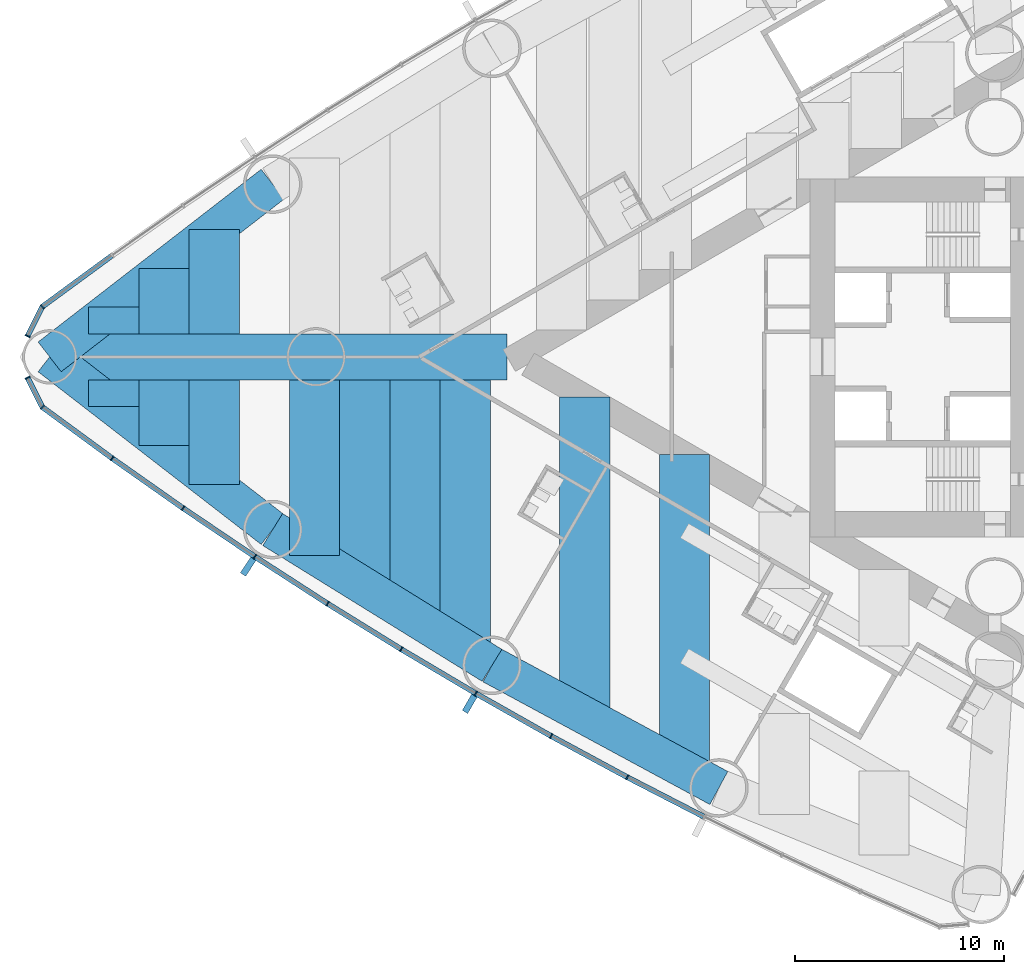
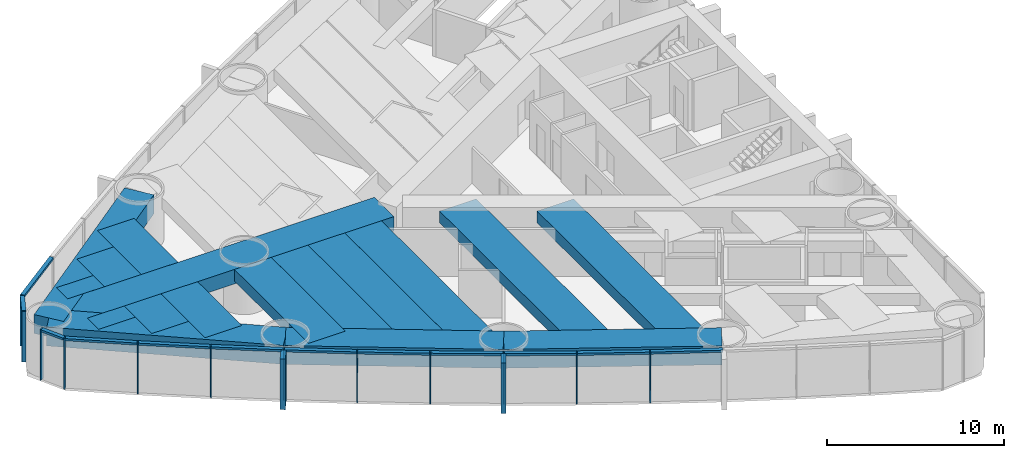
# One storey, part 2 of 19: 26 members, 17 beams, 2 elements without a shape of their own.
"""IFC4 building model written with IfcOpenShell, lengths in metres."""

from ifc_helpers import new_model, si_unit, direction, frame, origin, origin_2d, place, context, subcontext, project, spatial, rectangle, extrude, material, material_profile, profile_set, type_object, element, aggregate, save


model = new_model("IFC4")

# Units and contexts
model_context = context("Model", 3, precision=1e-05, world=origin(), true_north=direction((0.0, 1.0)))
body_context = subcontext(model_context, "Body", "Model", "MODEL_VIEW")
ifc_project = project(units=[si_unit("LENGTHUNIT", "METRE"), si_unit("AREAUNIT", "SQUARE_METRE"), si_unit("VOLUMEUNIT", "CUBIC_METRE"), si_unit("PLANEANGLEUNIT", "RADIAN"), si_unit("MASSUNIT", "GRAM", prefix="KILO")], contexts=[model_context])

# Site, building, storey
site_placement = place(None, origin())
site = spatial("IfcSite", under=ifc_project, at=site_placement, CompositionType="ELEMENT")
building_placement = place(site_placement, origin())
building = spatial("IfcBuilding", under=site, at=building_placement, Name="Lancet Gate Hotel", CompositionType="ELEMENT")
storey_placement = place(building_placement, frame((0.0, 0.0, 60.0)))
storey = spatial("IfcBuildingStorey", under=building, at=storey_placement, Name="L15", CompositionType="ELEMENT", Elevation=60.0)

# Curtain wall, members
ifc_material_1 = material(Name="Aluminium curtain wall", Category="aluminium")
curtain_wall_type = type_object("IfcCurtainWallType", Name="Tower unitised curtain wall", PredefinedType="USERDEFINED", material=ifc_material_1)
curtain_wall_1_placement = place(storey_placement, origin())
curtain_wall_1 = element("IfcCurtainWall", 1, at=curtain_wall_1_placement, inside=storey, type_object=curtain_wall_type, Name="T1 L15 curtain wall 2", ObjectType="UNITISED CURTAIN WALL", PredefinedType="USERDEFINED")
ifc_material_2 = material(Name="Aluminium mullion", Category="aluminium")
ifc_material_profile_1 = material_profile(ifc_material_2, rectangle(XDim=0.06494140625, YDim=0.25, at=origin_2d()), Name="MULLION 65x250")
ifc_profile_set_1 = profile_set([ifc_material_profile_1], Name="Aluminium mullion")
member_type_1 = type_object("IfcMemberType", Name="Aluminium mullion 65x250", PredefinedType="MULLION", material=ifc_profile_set_1)
member_1_placement = place(storey_placement, frame((-74.5830078125, 2.401611328125, 0.0), z_axis=(0.0, 0.0, 1.0), x_axis=(-0.723695580132, -0.690119342793, 0.0)))
member_1 = element("IfcMember", 2, at=member_1_placement, type_object=member_type_1, Name="T1 L15 curtain wall 2 mullion 14", PredefinedType="MULLION", context=body_context, shape_type="SweptSolid", body=[
    extrude(rectangle(XDim=0.06494140625, YDim=0.25, at=origin_2d()), origin(), (0.0, 0.0, 1.0), 3.5),
])
member_2_placement = place(storey_placement, frame((-75.287109375, 0.994873046875, 0.0), z_axis=(0.0, 0.0, 1.0), x_axis=(-0.447628324726, -0.89421970617, 0.0)))
member_2 = element("IfcMember", 3, at=member_2_placement, type_object=member_type_1, Name="T1 L15 curtain wall 2 mullion 15", PredefinedType="MULLION", context=body_context, shape_type="SweptSolid", body=[
    extrude(rectangle(XDim=0.06494140625, YDim=0.25, at=origin_2d()), origin(), (0.0, 0.0, 1.0), 3.5),
])

curtain_wall_2_placement = place(storey_placement, origin())
curtain_wall_2 = element("IfcCurtainWall", 4, at=curtain_wall_2_placement, inside=storey, type_object=curtain_wall_type, Name="T1 L15 curtain wall 3", ObjectType="UNITISED CURTAIN WALL", PredefinedType="USERDEFINED")
member_3_placement = place(storey_placement, frame((-75.287109375, -0.994873046875, 0.0), z_axis=(0.0, 0.0, 1.0), x_axis=(0.447628324726, -0.89421970617, 0.0)))
member_3 = element("IfcMember", 5, at=member_3_placement, type_object=member_type_1, Name="T1 L15 curtain wall 3 mullion 1", PredefinedType="MULLION", context=body_context, shape_type="SweptSolid", body=[
    extrude(rectangle(XDim=0.06494140625, YDim=0.25, at=origin_2d()), origin(), (0.0, 0.0, 1.0), 3.5),
])
member_4_placement = place(storey_placement, frame((-74.5830078125, -2.401611328125, 0.0), z_axis=(0.0, 0.0, 1.0), x_axis=(0.723695580132, -0.690119342793, 0.0)))
member_4 = element("IfcMember", 6, at=member_4_placement, type_object=member_type_1, Name="T1 L15 curtain wall 3 mullion 2", PredefinedType="MULLION", context=body_context, shape_type="SweptSolid", body=[
    extrude(rectangle(XDim=0.06494140625, YDim=0.25, at=origin_2d()), origin(), (0.0, 0.0, 1.0), 3.5),
])
member_5_placement = place(storey_placement, frame((-71.244384765625, -4.85009765625, 0.0), z_axis=(0.0, 0.0, 1.0), x_axis=(0.812146623168, -0.583453393578, 0.0)))
member_5 = element("IfcMember", 7, at=member_5_placement, type_object=member_type_1, Name="T1 L15 curtain wall 3 mullion 3", PredefinedType="MULLION", context=body_context, shape_type="SweptSolid", body=[
    extrude(rectangle(XDim=0.06494140625, YDim=0.25, at=origin_2d()), origin(), (0.0, 0.0, 1.0), 3.5),
])
member_6_placement = place(storey_placement, frame((-67.858154296875, -7.232666015625, 0.0), z_axis=(0.0, 0.0, 1.0), x_axis=(0.823425148573, -0.56742490666, 0.0)))
member_6 = element("IfcMember", 8, at=member_6_placement, type_object=member_type_1, Name="T1 L15 curtain wall 3 mullion 4", PredefinedType="MULLION", context=body_context, shape_type="SweptSolid", body=[
    extrude(rectangle(XDim=0.06494140625, YDim=0.25, at=origin_2d()), origin(), (0.0, 0.0, 1.0), 3.5),
])
member_7_placement = place(storey_placement, frame((-64.42626953125, -9.548583984375, 0.0), z_axis=(0.0, 0.0, 1.0), x_axis=(0.834387381945, -0.55117846189, 0.0)))
member_7 = element("IfcMember", 9, at=member_7_placement, type_object=member_type_1, Name="T1 L15 curtain wall 3 mullion 5", PredefinedType="MULLION", context=body_context, shape_type="SweptSolid", body=[
    extrude(rectangle(XDim=0.06494140625, YDim=0.25, at=origin_2d()), origin(), (0.0, 0.0, 1.0), 3.5),
])
member_8_placement = place(storey_placement, frame((-60.949462890625, -11.796630859375, 0.0), z_axis=(0.0, 0.0, 1.0), x_axis=(0.845029112489, -0.534720299827, 0.0)))
member_8 = element("IfcMember", 10, at=member_8_placement, type_object=member_type_1, Name="T1 L15 curtain wall 3 mullion 6", PredefinedType="MULLION", context=body_context, shape_type="SweptSolid", body=[
    extrude(rectangle(XDim=0.06494140625, YDim=0.25, at=origin_2d()), origin(), (0.0, 0.0, 1.0), 3.5),
])
member_9_placement = place(storey_placement, frame((-57.42919921875, -13.97607421875, 0.0), z_axis=(0.0, 0.0, 1.0), x_axis=(0.855346252548, -0.518056742309, 0.0)))
member_9 = element("IfcMember", 11, at=member_9_placement, type_object=member_type_1, Name="T1 L15 curtain wall 3 mullion 7", PredefinedType="MULLION", context=body_context, shape_type="SweptSolid", body=[
    extrude(rectangle(XDim=0.06494140625, YDim=0.25, at=origin_2d()), origin(), (0.0, 0.0, 1.0), 3.5),
])
member_10_placement = place(storey_placement, frame((-53.866943359375, -16.086181640625, 0.0), z_axis=(0.0, 0.0, 1.0), x_axis=(0.86533483912, -0.501194190115, 0.0)))
member_10 = element("IfcMember", 12, at=member_10_placement, type_object=member_type_1, Name="T1 L15 curtain wall 3 mullion 8", PredefinedType="MULLION", context=body_context, shape_type="SweptSolid", body=[
    extrude(rectangle(XDim=0.06494140625, YDim=0.25, at=origin_2d()), origin(), (0.0, 0.0, 1.0), 3.5),
])
member_11_placement = place(storey_placement, frame((-50.26416015625, -18.1259765625, 0.0), z_axis=(0.0, 0.0, 1.0), x_axis=(0.874991035403, -0.484139120464, 0.0)))
member_11 = element("IfcMember", 13, at=member_11_placement, type_object=member_type_1, Name="T1 L15 curtain wall 3 mullion 9", PredefinedType="MULLION", context=body_context, shape_type="SweptSolid", body=[
    extrude(rectangle(XDim=0.06494140625, YDim=0.25, at=origin_2d()), origin(), (0.0, 0.0, 1.0), 3.5),
])
member_12_placement = place(storey_placement, frame((-46.6220703125, -20.094970703125, 0.0), z_axis=(0.0, 0.0, 1.0), x_axis=(0.884311132302, -0.466898084475, 0.0)))
member_12 = element("IfcMember", 14, at=member_12_placement, type_object=member_type_1, Name="T1 L15 curtain wall 3 mullion 10", PredefinedType="MULLION", context=body_context, shape_type="SweptSolid", body=[
    extrude(rectangle(XDim=0.06494140625, YDim=0.25, at=origin_2d()), origin(), (0.0, 0.0, 1.0), 3.5),
])

# Member
ifc_material_3 = material(Name="Aluminium transom", Category="aluminium")
ifc_material_profile_2 = material_profile(ifc_material_3, rectangle(XDim=0.25, YDim=0.14990234375, at=origin_2d()), Name="TRANSOM 250x150")
ifc_profile_set_2 = profile_set([ifc_material_profile_2], Name="Aluminium transom")
member_type_2 = type_object("IfcMemberType", Name="Aluminium transom 250x150", PredefinedType="USERDEFINED", material=ifc_profile_set_2)
member_13_placement = place(storey_placement, frame((-71.2705078125, 4.8310546875, 3.425048828125), z_axis=(-0.806366902144, -0.59141560609, 0.0), x_axis=(0.59141560609, -0.806366902144, 0.0)))
member_13 = element("IfcMember", 15, at=member_13_placement, type_object=member_type_2, Name="T1 L15 curtain wall 2 transom 13", ObjectType="TRANSOM", PredefinedType="USERDEFINED", context=body_context, shape_type="SweptSolid", body=[
    extrude(rectangle(XDim=0.25, YDim=0.14990234375, at=origin_2d()), origin(), (0.0, 0.0, 1.0), 4.0751953125),
])

member_14_placement = place(storey_placement, frame((-74.597412109375, 2.37255859375, 3.425048828125), z_axis=(-0.447731503446, -0.894168049542, 0.0), x_axis=(0.894168049542, -0.447731503446, 0.0)))
member_14 = element("IfcMember", 16, at=member_14_placement, type_object=member_type_2, Name="T1 L15 curtain wall 2 transom 14", ObjectType="TRANSOM", PredefinedType="USERDEFINED", context=body_context, shape_type="SweptSolid", body=[
    extrude(rectangle(XDim=0.25, YDim=0.14990234375, at=origin_2d()), origin(), (0.0, 0.0, 1.0), 1.50830078125),
])

aggregate(curtain_wall_1, [member_1, member_2, member_13, member_14])

member_15_placement = place(storey_placement, frame((-75.272705078125, -1.02392578125, 3.425048828125), z_axis=(0.447731503446, -0.894168049542, 0.0), x_axis=(0.894168049542, 0.447731503446, 0.0)))
member_15 = element("IfcMember", 17, at=member_15_placement, type_object=member_type_2, Name="T1 L15 curtain wall 3 transom 1", ObjectType="TRANSOM", PredefinedType="USERDEFINED", context=body_context, shape_type="SweptSolid", body=[
    extrude(rectangle(XDim=0.25, YDim=0.14990234375, at=origin_2d()), origin(), (0.0, 0.0, 1.0), 1.50830078125),
])

member_16_placement = place(storey_placement, frame((-74.556640625, -2.4208984375, 3.425048828125), z_axis=(0.806366902144, -0.59141560609, 0.0), x_axis=(0.59141560609, 0.806366902144, 0.0)))
member_16 = element("IfcMember", 18, at=member_16_placement, type_object=member_type_2, Name="T1 L15 curtain wall 3 transom 2", ObjectType="TRANSOM", PredefinedType="USERDEFINED", context=body_context, shape_type="SweptSolid", body=[
    extrude(rectangle(XDim=0.25, YDim=0.14990234375, at=origin_2d()), origin(), (0.0, 0.0, 1.0), 4.0751953125),
])

member_17_placement = place(storey_placement, frame((-71.2177734375, -4.868896484375, 3.425048828125), z_axis=(0.817833568345, -0.57545482402, 0.0), x_axis=(0.57545482402, 0.817833568345, 0.0)))
member_17 = element("IfcMember", 19, at=member_17_placement, type_object=member_type_2, Name="T1 L15 curtain wall 3 transom 3", ObjectType="TRANSOM", PredefinedType="USERDEFINED", context=body_context, shape_type="SweptSolid", body=[
    extrude(rectangle(XDim=0.25, YDim=0.14990234375, at=origin_2d()), origin(), (0.0, 0.0, 1.0), 4.075439453125),
])

member_18_placement = place(storey_placement, frame((-67.831298828125, -7.2509765625, 3.425048828125), z_axis=(0.828959086782, -0.559309245804, 0.0), x_axis=(0.559309245804, 0.828959086782, 0.0)))
member_18 = element("IfcMember", 20, at=member_18_placement, type_object=member_type_2, Name="T1 L15 curtain wall 3 transom 4", ObjectType="TRANSOM", PredefinedType="USERDEFINED", context=body_context, shape_type="SweptSolid", body=[
    extrude(rectangle(XDim=0.25, YDim=0.14990234375, at=origin_2d()), origin(), (0.0, 0.0, 1.0), 4.0751953125),
])

member_19_placement = place(storey_placement, frame((-64.39892578125, -9.566162109375, 3.425048828125), z_axis=(0.839729242404, -0.543005340169, 0.0), x_axis=(0.543005340169, 0.839729242404, 0.0)))
member_19 = element("IfcMember", 21, at=member_19_placement, type_object=member_type_2, Name="T1 L15 curtain wall 3 transom 5", ObjectType="TRANSOM", PredefinedType="USERDEFINED", context=body_context, shape_type="SweptSolid", body=[
    extrude(rectangle(XDim=0.25, YDim=0.14990234375, at=origin_2d()), origin(), (0.0, 0.0, 1.0), 4.0751953125),
])

member_20_placement = place(storey_placement, frame((-60.921875, -11.813720703125, 3.425048828125), z_axis=(0.850242165643, -0.526391736032, 0.0), x_axis=(0.526391736032, 0.850242165643, 0.0)))
member_20 = element("IfcMember", 22, at=member_20_placement, type_object=member_type_2, Name="T1 L15 curtain wall 3 transom 6", ObjectType="TRANSOM", PredefinedType="USERDEFINED", context=body_context, shape_type="SweptSolid", body=[
    extrude(rectangle(XDim=0.25, YDim=0.14990234375, at=origin_2d()), origin(), (0.0, 0.0, 1.0), 4.075439453125),
])

member_21_placement = place(storey_placement, frame((-57.4013671875, -13.99267578125, 3.425048828125), z_axis=(0.86039174806, -0.509633240547, 0.0), x_axis=(0.509633240547, 0.86039174806, 0.0)))
member_21 = element("IfcMember", 23, at=member_21_placement, type_object=member_type_2, Name="T1 L15 curtain wall 3 transom 7", ObjectType="TRANSOM", PredefinedType="USERDEFINED", context=body_context, shape_type="SweptSolid", body=[
    extrude(rectangle(XDim=0.25, YDim=0.14990234375, at=origin_2d()), origin(), (0.0, 0.0, 1.0), 4.0751953125),
])

member_22_placement = place(storey_placement, frame((-53.838623046875, -16.102294921875, 3.425048828125), z_axis=(0.870197729943, -0.492702659625, 0.0), x_axis=(0.492702659625, 0.870197729943, 0.0)))
member_22 = element("IfcMember", 24, at=member_22_placement, type_object=member_type_2, Name="T1 L15 curtain wall 3 transom 8", ObjectType="TRANSOM", PredefinedType="USERDEFINED", context=body_context, shape_type="SweptSolid", body=[
    extrude(rectangle(XDim=0.25, YDim=0.14990234375, at=origin_2d()), origin(), (0.0, 0.0, 1.0), 4.0751953125),
])

member_23_placement = place(storey_placement, frame((-50.235595703125, -18.1416015625, 3.425048828125), z_axis=(0.87971396408, -0.475503250675, 0.0), x_axis=(0.475503250675, 0.87971396408, 0.0)))
member_23 = element("IfcMember", 25, at=member_23_placement, type_object=member_type_2, Name="T1 L15 curtain wall 3 transom 9", ObjectType="TRANSOM", PredefinedType="USERDEFINED", context=body_context, shape_type="SweptSolid", body=[
    extrude(rectangle(XDim=0.25, YDim=0.14990234375, at=origin_2d()), origin(), (0.0, 0.0, 1.0), 4.0751953125),
])

member_24_placement = place(storey_placement, frame((-46.593017578125, -20.10986328125, 3.425048828125), z_axis=(0.888859972399, -0.458178949175, 0.0), x_axis=(0.458178949175, 0.888859972399, 0.0)))
member_24 = element("IfcMember", 26, at=member_24_placement, type_object=member_type_2, Name="T1 L15 curtain wall 3 transom 10", ObjectType="TRANSOM", PredefinedType="USERDEFINED", context=body_context, shape_type="SweptSolid", body=[
    extrude(rectangle(XDim=0.25, YDim=0.14990234375, at=origin_2d()), origin(), (0.0, 0.0, 1.0), 4.0751953125),
])

# Beams
ifc_material_4 = material(Name="Concrete C50/60", Category="concrete")
ifc_material_profile_3 = material_profile(ifc_material_4, rectangle(XDim=1.800048828125, YDim=1.300048828125, at=origin_2d()), Name="RC 1800x1300")
ifc_profile_set_3 = profile_set([ifc_material_profile_3], Name="Concrete C50/60")
beam_type_1 = type_object("IfcBeamType", Name="Edge beam RC 1800x1300", PredefinedType="SPANDREL", material=ifc_profile_set_3)
for number, where, z_axis, x_axis, name in (
    (27, (-63.57177734375, 8.255126953125, 2.60009765625), (-0.790736428665, -0.612156761281, 0.0), (0.612156761281, -0.790736428665, 0.0), "T1 edge beam EB1 L15"),
    (28, (-74.235107421875, 0.0, 2.60009765625), (0.790736428665, -0.612156761281, 0.0), (0.612156761281, 0.790736428665, 0.0), "T1 edge beam EB1 L15"),
):
    element("IfcBeam", number, at=place(storey_placement, frame(where, z_axis=z_axis, x_axis=x_axis)), inside=storey, type_object=beam_type_1, Name=name, PredefinedType="SPANDREL", context=body_context, shape_type="SweptSolid", body=[
        extrude(rectangle(XDim=1.800048828125, YDim=1.300048828125, at=origin_2d()), origin(), (0.0, 0.0, 1.0), 13.4853515625),
    ])
for number, where, z_axis, x_axis, name in (
    (29, (-63.57177734375, -8.255126953125, 2.60009765625), (0.850225894333, -0.526418016984, 0.0), (0.526418016984, 0.850225894333, 0.0), "T1 edge beam EB1 L15"),
    (30, (-53.090087890625, -14.744873046875, 2.60009765625), (0.879692855603, -0.475542300749, 0.0), (0.475542300749, 0.879692855603, 0.0), "T1 edge beam EB1 L15"),
):
    element("IfcBeam", number, at=place(storey_placement, frame(where, z_axis=z_axis, x_axis=x_axis)), inside=storey, type_object=beam_type_1, Name=name, PredefinedType="SPANDREL", context=body_context, shape_type="SweptSolid", body=[
        extrude(rectangle(XDim=1.800048828125, YDim=1.300048828125, at=origin_2d()), origin(), (0.0, 0.0, 1.0), 12.328125),
    ])

# Member
ifc_material_5 = material(Name="Precast concrete C50/60", Category="concrete")
ifc_material_profile_4 = material_profile(ifc_material_5, rectangle(XDim=0.300048828125, YDim=0.89990234375, at=origin_2d()), Name="FIN 300x900")
ifc_profile_set_4 = profile_set([ifc_material_profile_4], Name="Precast concrete C50/60")
member_type_3 = type_object("IfcMemberType", Name="Exposed concrete fin 300x900", PredefinedType="USERDEFINED", material=ifc_profile_set_4)
member_25_placement = place(storey_placement, frame((-64.7431640625, -10.0283203125, 0.0), z_axis=(0.0, 0.0, 1.0), x_axis=(0.834387381945, -0.55117846189, 0.0)))
member_25 = element("IfcMember", 31, at=member_25_placement, type_object=member_type_3, Name="T1 L15 curtain wall 3 fin 5", ObjectType="FIN", PredefinedType="USERDEFINED", context=body_context, shape_type="SweptSolid", body=[
    extrude(rectangle(XDim=0.300048828125, YDim=0.89990234375, at=origin_2d()), origin(), (0.0, 0.0, 1.0), 3.5),
])

member_26_placement = place(storey_placement, frame((-54.1552734375, -16.583740234375, 0.0), z_axis=(0.0, 0.0, 1.0), x_axis=(0.86533483912, -0.501194190115, 0.0)))
member_26 = element("IfcMember", 32, at=member_26_placement, type_object=member_type_3, Name="T1 L15 curtain wall 3 fin 8", ObjectType="FIN", PredefinedType="USERDEFINED", context=body_context, shape_type="SweptSolid", body=[
    extrude(rectangle(XDim=0.300048828125, YDim=0.89990234375, at=origin_2d()), origin(), (0.0, 0.0, 1.0), 3.5),
])

aggregate(curtain_wall_2, [member_3, member_4, member_5, member_6, member_7, member_25, member_8, member_9, member_10, member_26, member_11, member_12, member_15, member_16, member_17, member_18, member_19, member_20, member_21, member_22, member_23, member_24])

# Beams
ifc_material_6 = material(Name="Concrete C50/60", Category="concrete")
ifc_material_profile_5 = material_profile(ifc_material_6, rectangle(XDim=2.39990234375, YDim=0.800048828125, at=origin_2d()), Name="RC 2400x800")
ifc_profile_set_5 = profile_set([ifc_material_profile_5], Name="Concrete C50/60")
beam_type_2 = type_object("IfcBeamType", Name="Floor beam RC 2400x800", PredefinedType="BEAM", material=ifc_profile_set_5)
beam_1_placement = place(storey_placement, frame((-43.891357421875, -4.663330078125, 2.85009765625), z_axis=(0.0, -1.0, 0.0), x_axis=(1.0, 0.0, 0.0)))
element("IfcBeam", 33, at=beam_1_placement, inside=storey, type_object=beam_type_2, Name="T1 floor beam F08N L15", PredefinedType="BEAM", context=body_context, shape_type="SweptSolid", body=[
    extrude(rectangle(XDim=2.39990234375, YDim=0.800048828125, at=origin_2d()), origin(), (0.0, 0.0, 1.0), 15.05419921875),
])
beam_2_placement = place(storey_placement, frame((-48.66015625, -1.909912109375, 2.85009765625), z_axis=(0.0, -1.0, 0.0), x_axis=(1.0, 0.0, 0.0)))
element("IfcBeam", 34, at=beam_2_placement, inside=storey, type_object=beam_type_2, Name="T1 floor beam F11N L15", PredefinedType="BEAM", context=body_context, shape_type="SweptSolid", body=[
    extrude(rectangle(XDim=2.39990234375, YDim=0.800048828125, at=origin_2d()), origin(), (0.0, 0.0, 1.0), 15.229736328125),
])
beam_3_placement = place(storey_placement, frame((-54.3681640625, -1.10009765625, 2.85009765625), z_axis=(0.0, -1.0, 0.0), x_axis=(1.0, 0.0, 0.0)))
element("IfcBeam", 35, at=beam_3_placement, inside=storey, type_object=beam_type_2, Name="T1 floor beam F14N L15", PredefinedType="BEAM", context=body_context, shape_type="SweptSolid", body=[
    extrude(rectangle(XDim=2.39990234375, YDim=0.800048828125, at=origin_2d()), origin(), (0.0, 0.0, 1.0), 12.853515625),
])
beam_4_placement = place(storey_placement, frame((-56.768310546875, -1.10009765625, 2.85009765625), z_axis=(0.0, -1.0, 0.0), x_axis=(1.0, 0.0, 0.0)))
element("IfcBeam", 36, at=beam_4_placement, inside=storey, type_object=beam_type_2, Name="T1 floor beam F16N L15", PredefinedType="BEAM", context=body_context, shape_type="SweptSolid", body=[
    extrude(rectangle(XDim=2.39990234375, YDim=0.800048828125, at=origin_2d()), origin(), (0.0, 0.0, 1.0), 11.367431640625),
])
beam_5_placement = place(storey_placement, frame((-59.168212890625, -1.10009765625, 2.85009765625), z_axis=(0.0, -1.0, 0.0), x_axis=(1.0, 0.0, 0.0)))
element("IfcBeam", 37, at=beam_5_placement, inside=storey, type_object=beam_type_2, Name="T1 floor beam F18N L15", PredefinedType="BEAM", context=body_context, shape_type="SweptSolid", body=[
    extrude(rectangle(XDim=2.39990234375, YDim=0.800048828125, at=origin_2d()), origin(), (0.0, 0.0, 1.0), 9.881591796875),
])
beam_6_placement = place(storey_placement, frame((-61.568359375, -1.10009765625, 2.85009765625), z_axis=(0.0, -1.0, 0.0), x_axis=(1.0, 0.0, 0.0)))
element("IfcBeam", 38, at=beam_6_placement, inside=storey, type_object=beam_type_2, Name="T1 floor beam F20N L15", PredefinedType="BEAM", context=body_context, shape_type="SweptSolid", body=[
    extrude(rectangle(XDim=2.39990234375, YDim=0.800048828125, at=origin_2d()), origin(), (0.0, 0.0, 1.0), 8.395751953125),
])
for number, where, z_axis, x_axis, name in (
    (39, (-66.3681640625, 6.09033203125, 2.85009765625), (0.0, -1.0, 0.0), (1.0, 0.0, 0.0), "T1 floor beam F21S L15"),
    (40, (-66.3681640625, -1.10009765625, 2.85009765625), (0.0, -1.0, 0.0), (1.0, 0.0, 0.0), "T1 floor beam F22N L15"),
):
    element("IfcBeam", number, at=place(storey_placement, frame(where, z_axis=z_axis, x_axis=x_axis)), inside=storey, type_object=beam_type_2, Name=name, PredefinedType="BEAM", context=body_context, shape_type="SweptSolid", body=[
        extrude(rectangle(XDim=2.39990234375, YDim=0.800048828125, at=origin_2d()), origin(), (0.0, 0.0, 1.0), 4.990234375),
    ])
for number, where, z_axis, x_axis, name in (
    (41, (-68.768310546875, 4.232421875, 2.85009765625), (0.0, -1.0, 0.0), (1.0, 0.0, 0.0), "T1 floor beam F23S L15"),
    (42, (-68.768310546875, -1.10009765625, 2.85009765625), (0.0, -1.0, 0.0), (1.0, 0.0, 0.0), "T1 floor beam F24N L15"),
):
    element("IfcBeam", number, at=place(storey_placement, frame(where, z_axis=z_axis, x_axis=x_axis)), inside=storey, type_object=beam_type_2, Name=name, PredefinedType="BEAM", context=body_context, shape_type="SweptSolid", body=[
        extrude(rectangle(XDim=2.39990234375, YDim=0.800048828125, at=origin_2d()), origin(), (0.0, 0.0, 1.0), 3.13232421875),
    ])
for number, where, z_axis, x_axis, name in (
    (43, (-71.168212890625, 2.374267578125, 2.85009765625), (0.0, -1.0, 0.0), (1.0, 0.0, 0.0), "T1 floor beam F25S L15"),
    (44, (-71.168212890625, -1.10009765625, 2.85009765625), (0.0, -1.0, 0.0), (1.0, 0.0, 0.0), "T1 floor beam F26N L15"),
):
    element("IfcBeam", number, at=place(storey_placement, frame(where, z_axis=z_axis, x_axis=x_axis)), inside=storey, type_object=beam_type_2, Name=name, PredefinedType="BEAM", context=body_context, shape_type="SweptSolid", body=[
        extrude(rectangle(XDim=2.39990234375, YDim=0.800048828125, at=origin_2d()), origin(), (0.0, 0.0, 1.0), 1.274169921875),
    ])
ifc_material_7 = material(Name="Concrete C50/60", Category="concrete")
ifc_material_profile_6 = material_profile(ifc_material_7, rectangle(XDim=2.199951171875, YDim=1.0, at=origin_2d()), Name="RC 2200x1000")
ifc_profile_set_6 = profile_set([ifc_material_profile_6], Name="Concrete C50/60")
beam_type_3 = type_object("IfcBeamType", Name="Radial floor beam RC 2200x1000", PredefinedType="BEAM", material=ifc_profile_set_6)
beam_7_placement = place(storey_placement, frame((-74.235107421875, 0.0, 2.75), z_axis=(1.0, 0.0, 0.0), x_axis=(0.0, 1.0, 0.0)))
element("IfcBeam", 45, at=beam_7_placement, inside=storey, type_object=beam_type_3, Name="T1 radial beam CA L15", PredefinedType="BEAM", context=body_context, shape_type="SweptSolid", body=[
    extrude(rectangle(XDim=2.199951171875, YDim=1.0, at=origin_2d()), origin(), (0.0, 0.0, 1.0), 21.866943359375),
])

save(model, "model.ifc")
